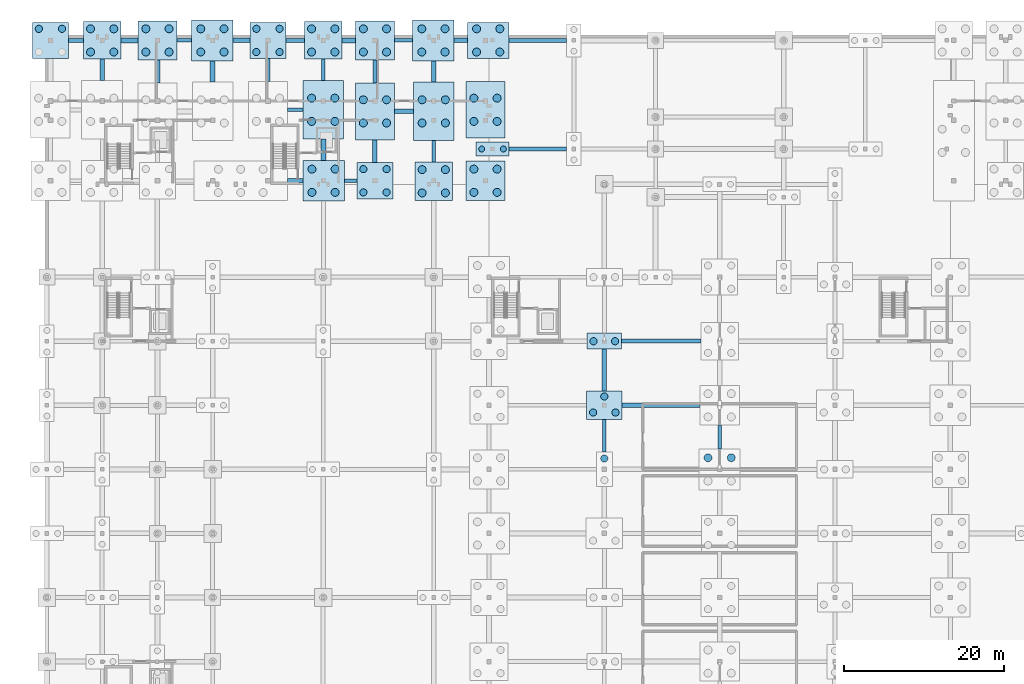
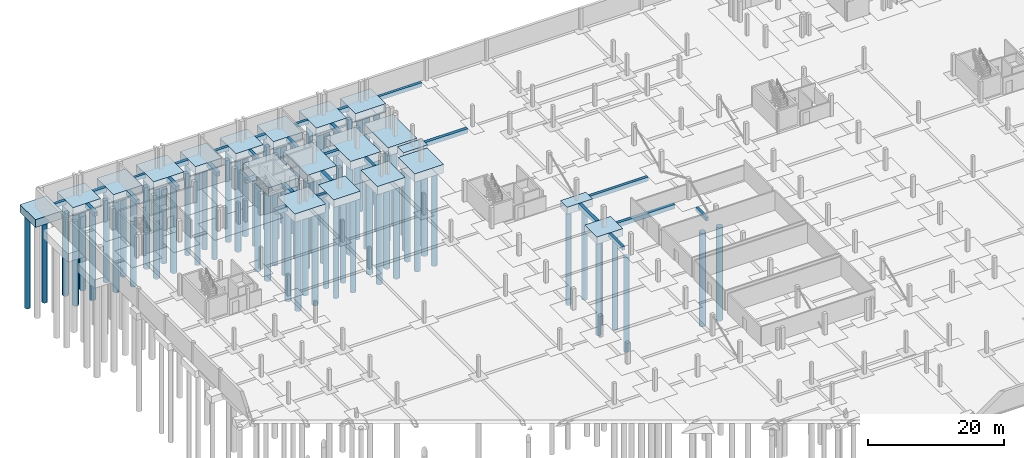
# One storey, part 6 of 38: 76 piles, 49 footings.
"""IFC4 building model written with IfcOpenShell, lengths in metres."""

from ifc_helpers import new_model, si_unit, direction, frame, origin, origin_2d, place, context, subcontext, project, spatial, rectangle, circle, extrude, material, material_profile, profile_set, type_object, element, save


model = new_model("IFC4")

# Units and contexts
model_context = context("Model", 3, precision=1e-05, world=origin(), true_north=direction((0.0, 1.0)))
body_context = subcontext(model_context, "Body", "Model", "MODEL_VIEW")
ifc_project = project(units=[si_unit("LENGTHUNIT", "METRE"), si_unit("AREAUNIT", "SQUARE_METRE"), si_unit("VOLUMEUNIT", "CUBIC_METRE"), si_unit("PLANEANGLEUNIT", "RADIAN"), si_unit("MASSUNIT", "GRAM", prefix="KILO")], contexts=[model_context])

# Site, building, storey
site_placement = place(None, origin())
site = spatial("IfcSite", under=ifc_project, at=site_placement, CompositionType="ELEMENT")
building_placement = place(site_placement, origin())
building = spatial("IfcBuilding", under=site, at=building_placement, Name="Zavelmont Quarter", CompositionType="ELEMENT")
storey_placement = place(building_placement, frame((0.0, 0.0, -3.800048828125)))
storey = spatial("IfcBuildingStorey", under=building, at=storey_placement, Name="B01", CompositionType="ELEMENT", Elevation=-3.800048828125)

# Footings
ifc_material = material(Name="Concrete C35/45", Category="concrete")
footing_type_1 = type_object("IfcFootingType", Name="GB01", PredefinedType="FOOTING_BEAM", material=ifc_material)
footing_1_placement = place(storey_placement, frame((76.699951171875, 78.0, -0.69970703125), z_axis=(0.0, 0.0, 1.0), x_axis=(1.0, 0.0, 0.0)))
element("IfcFooting", 1, at=footing_1_placement, inside=storey, type_object=footing_type_1, Name="B01 ground beam GB01 at 12/M", PredefinedType="FOOTING_BEAM", context=body_context, shape_type="SweptSolid", body=[
    extrude(rectangle(XDim=9.89990234375, YDim=0.5, at=origin_2d()), origin(), (0.0, 0.0, 1.0), 0.699951171875),
])
footing_2_placement = place(storey_placement, frame((3.6201171875, 115.56005859375, -0.69970703125), z_axis=(0.0, 0.0, 1.0), x_axis=(1.0, 0.0, 0.0)))
element("IfcFooting", 2, at=footing_2_placement, inside=storey, type_object=footing_type_1, Name="B01 ground beam GB01 at 2/S", PredefinedType="FOOTING_BEAM", context=body_context, shape_type="SweptSolid", body=[
    extrude(rectangle(XDim=1.860107421875, YDim=0.5, at=origin_2d()), origin(), (0.0, 0.0, 1.0), 0.699951171875),
])
footing_3_placement = place(storey_placement, frame((31.0, 115.56005859375, -0.69970703125), z_axis=(0.0, 0.0, 1.0), x_axis=(1.0, 0.0, 0.0)))
element("IfcFooting", 3, at=footing_3_placement, inside=storey, type_object=footing_type_1, Name="B01 ground beam GB01 at 5/S", PredefinedType="FOOTING_BEAM", context=body_context, shape_type="SweptSolid", body=[
    extrude(rectangle(XDim=2.300048828125, YDim=0.5, at=origin_2d()), origin(), (0.0, 0.0, 1.0), 0.699951171875),
])
footing_4_placement = place(storey_placement, frame((61.294921875, 115.56005859375, -0.69970703125), z_axis=(0.0, 0.0, 1.0), x_axis=(1.0, 0.0, 0.0)))
element("IfcFooting", 4, at=footing_4_placement, inside=storey, type_object=footing_type_1, Name="B01 ground beam GB01 at 10/S", PredefinedType="FOOTING_BEAM", context=body_context, shape_type="SweptSolid", body=[
    extrude(rectangle(XDim=7.2099609375, YDim=0.5, at=origin_2d()), origin(), (0.0, 0.0, 1.0), 0.699951171875),
])
footing_5_placement = place(storey_placement, frame((40.9599609375, 111.679931640625, -0.69970703125), z_axis=(0.0, 0.0, 1.0), x_axis=(0.0, 1.0, 0.0)))
element("IfcFooting", 5, at=footing_5_placement, inside=storey, type_object=footing_type_1, Name="B01 ground beam GB01 at 7/R", PredefinedType="FOOTING_BEAM", context=body_context, shape_type="SweptSolid", body=[
    extrude(rectangle(XDim=2.860107421875, YDim=0.5, at=origin_2d()), origin(), (0.0, 0.0, 1.0), 0.699951171875),
])
footing_type_2 = type_object("IfcFootingType", Name="GB02", PredefinedType="FOOTING_BEAM", material=ifc_material)
footing_6_placement = place(storey_placement, frame((31.0, 98.030029296875, -0.7998046875), z_axis=(0.0, 0.0, 1.0), x_axis=(1.0, 0.0, 0.0)))
element("IfcFooting", 6, at=footing_6_placement, inside=storey, type_object=footing_type_2, Name="B01 ground beam GB02 at 5/P", PredefinedType="FOOTING_BEAM", context=body_context, shape_type="SweptSolid", body=[
    extrude(rectangle(XDim=1.89990234375, YDim=0.60009765625, at=origin_2d()), origin(), (0.0, 0.0, 1.0), 0.800048828125),
])
footing_7_placement = place(storey_placement, frame((10.300048828125, 115.56005859375, -0.7998046875), z_axis=(0.0, 0.0, 1.0), x_axis=(1.0, 0.0, 0.0)))
element("IfcFooting", 7, at=footing_7_placement, inside=storey, type_object=footing_type_2, Name="B01 ground beam GB02 at 2/S", PredefinedType="FOOTING_BEAM", context=body_context, shape_type="SweptSolid", body=[
    extrude(rectangle(XDim=2.10009765625, YDim=0.60009765625, at=origin_2d()), origin(), (0.0, 0.0, 1.0), 0.800048828125),
])
footing_8_placement = place(storey_placement, frame((37.679931640625, 115.56005859375, -0.7998046875), z_axis=(0.0, 0.0, 1.0), x_axis=(1.0, 0.0, 0.0)))
element("IfcFooting", 8, at=footing_8_placement, inside=storey, type_object=footing_type_2, Name="B01 ground beam GB02 at 6/S", PredefinedType="FOOTING_BEAM", context=body_context, shape_type="SweptSolid", body=[
    extrude(rectangle(XDim=1.659912109375, YDim=0.60009765625, at=origin_2d()), origin(), (0.0, 0.0, 1.0), 0.800048828125),
])
footing_9_placement = place(storey_placement, frame((13.800048828125, 111.679931640625, -0.7998046875), z_axis=(0.0, 0.0, 1.0), x_axis=(0.0, 1.0, 0.0)))
element("IfcFooting", 9, at=footing_9_placement, inside=storey, type_object=footing_type_2, Name="B01 ground beam GB02 at 3/R", PredefinedType="FOOTING_BEAM", context=body_context, shape_type="SweptSolid", body=[
    extrude(rectangle(XDim=2.860107421875, YDim=0.60009765625, at=origin_2d()), origin(), (0.0, 0.0, 1.0), 0.800048828125),
])
for number, where, z_axis, x_axis, name in (
    (10, (20.679931640625, 111.679931640625, -0.7998046875), (0.0, 0.0, 1.0), (0.0, 1.0, 0.0), "B01 ground beam GB02 at 4/R"),
    (11, (34.52001953125, 101.919921875, -0.7998046875), (0.0, 0.0, 1.0), (0.0, 1.0, 0.0), "B01 ground beam GB02 at 6/Q"),
):
    element("IfcFooting", number, at=place(storey_placement, frame(where, z_axis=z_axis, x_axis=x_axis)), inside=storey, type_object=footing_type_2, Name=name, PredefinedType="FOOTING_BEAM", context=body_context, shape_type="SweptSolid", body=[
        extrude(rectangle(XDim=2.659912109375, YDim=0.60009765625, at=origin_2d()), origin(), (0.0, 0.0, 1.0), 0.800048828125),
    ])
footing_type_3 = type_object("IfcFootingType", Name="GB03", PredefinedType="FOOTING_BEAM", material=ifc_material)
footing_10_placement = place(storey_placement, frame((37.919921875, 98.0400390625, -0.64990234375), z_axis=(0.0, 0.0, 1.0), x_axis=(1.0, 0.0, 0.0)))
element("IfcFooting", 12, at=footing_10_placement, inside=storey, type_object=footing_type_3, Name="B01 ground beam GB03 at 6/P", PredefinedType="FOOTING_BEAM", context=body_context, shape_type="SweptSolid", body=[
    extrude(rectangle(XDim=1.580078125, YDim=0.449951171875, at=origin_2d()), origin(), (0.0, 0.0, 1.0), 0.64990234375),
])
footing_11_placement = place(storey_placement, frame((31.0, 106.89990234375, -0.64990234375), z_axis=(0.0, 0.0, 1.0), x_axis=(1.0, 0.0, 0.0)))
element("IfcFooting", 13, at=footing_11_placement, inside=storey, type_object=footing_type_3, Name="B01 ground beam GB03 at 5/R", PredefinedType="FOOTING_BEAM", context=body_context, shape_type="SweptSolid", body=[
    extrude(rectangle(XDim=1.89990234375, YDim=0.449951171875, at=origin_2d()), origin(), (0.0, 0.0, 1.0), 0.64990234375),
])
footing_12_placement = place(storey_placement, frame((17.159912109375, 115.56005859375, -0.64990234375), z_axis=(0.0, 0.0, 1.0), x_axis=(1.0, 0.0, 0.0)))
element("IfcFooting", 14, at=footing_12_placement, inside=storey, type_object=footing_type_3, Name="B01 ground beam GB03 at 3/S", PredefinedType="FOOTING_BEAM", context=body_context, shape_type="SweptSolid", body=[
    extrude(rectangle(XDim=1.820068359375, YDim=0.449951171875, at=origin_2d()), origin(), (0.0, 0.0, 1.0), 0.64990234375),
])
footing_13_placement = place(storey_placement, frame((44.5400390625, 115.56005859375, -0.64990234375), z_axis=(0.0, 0.0, 1.0), x_axis=(1.0, 0.0, 0.0)))
element("IfcFooting", 15, at=footing_13_placement, inside=storey, type_object=footing_type_3, Name="B01 ground beam GB03 at 7/S", PredefinedType="FOOTING_BEAM", context=body_context, shape_type="SweptSolid", body=[
    extrude(rectangle(XDim=2.260009765625, YDim=0.449951171875, at=origin_2d()), origin(), (0.0, 0.0, 1.0), 0.64990234375),
])
for number, where, z_axis, x_axis, name in (
    (16, (34.5, 111.8798828125, -0.64990234375), (0.0, 0.0, 1.0), (0.0, 1.0, 0.0), "B01 ground beam GB03 at 6/R"),
    (17, (48.300048828125, 101.719970703125, -0.64990234375), (0.0, 0.0, 1.0), (0.0, 1.0, 0.0), "B01 ground beam GB03 at 8/Q"),
):
    element("IfcFooting", number, at=place(storey_placement, frame(where, z_axis=z_axis, x_axis=x_axis)), inside=storey, type_object=footing_type_3, Name=name, PredefinedType="FOOTING_BEAM", context=body_context, shape_type="SweptSolid", body=[
        extrude(rectangle(XDim=2.659912109375, YDim=0.449951171875, at=origin_2d()), origin(), (0.0, 0.0, 1.0), 0.64990234375),
    ])
footing_14_placement = place(storey_placement, frame((69.60009765625, 66.175048828125, -0.64990234375), z_axis=(0.0, 0.0, 1.0), x_axis=(0.0, 1.0, 0.0)))
element("IfcFooting", 18, at=footing_14_placement, inside=storey, type_object=footing_type_3, Name="B01 ground beam GB03 at 11/L", PredefinedType="FOOTING_BEAM", context=body_context, shape_type="SweptSolid", body=[
    extrude(rectangle(XDim=4.050048828125, YDim=0.449951171875, at=origin_2d()), origin(), (0.0, 0.0, 1.0), 0.64990234375),
])
footing_15_placement = place(storey_placement, frame((84.0, 66.050048828125, -0.64990234375), z_axis=(0.0, 0.0, 1.0), x_axis=(0.0, 1.0, 0.0)))
element("IfcFooting", 19, at=footing_15_placement, inside=storey, type_object=footing_type_3, Name="B01 ground beam GB03 at 13/L", PredefinedType="FOOTING_BEAM", context=body_context, shape_type="SweptSolid", body=[
    extrude(rectangle(XDim=3.0, YDim=0.449951171875, at=origin_2d()), origin(), (0.0, 0.0, 1.0), 0.64990234375),
])
footing_type_4 = type_object("IfcFootingType", Name="GB04", PredefinedType="FOOTING_BEAM", material=ifc_material)
footing_16_placement = place(storey_placement, frame((76.675048828125, 70.0, -0.75), z_axis=(0.0, 0.0, 1.0), x_axis=(1.0, 0.0, 0.0)))
element("IfcFooting", 20, at=footing_16_placement, inside=storey, type_object=footing_type_4, Name="B01 ground beam GB04 at 12/L", PredefinedType="FOOTING_BEAM", context=body_context, shape_type="SweptSolid", body=[
    extrude(rectangle(XDim=9.75, YDim=0.550048828125, at=origin_2d()), origin(), (0.0, 0.0, 1.0), 0.75),
])
footing_17_placement = place(storey_placement, frame((61.294921875, 102.0, -0.75), z_axis=(0.0, 0.0, 1.0), x_axis=(1.0, 0.0, 0.0)))
element("IfcFooting", 21, at=footing_17_placement, inside=storey, type_object=footing_type_4, Name="B01 ground beam GB04 at 10/Q", PredefinedType="FOOTING_BEAM", context=body_context, shape_type="SweptSolid", body=[
    extrude(rectangle(XDim=7.2099609375, YDim=0.550048828125, at=origin_2d()), origin(), (0.0, 0.0, 1.0), 0.75),
])
footing_18_placement = place(storey_placement, frame((44.580078125, 106.699951171875, -0.75), z_axis=(0.0, 0.0, 1.0), x_axis=(1.0, 0.0, 0.0)))
element("IfcFooting", 22, at=footing_18_placement, inside=storey, type_object=footing_type_4, Name="B01 ground beam GB04 at 7/Q", PredefinedType="FOOTING_BEAM", context=body_context, shape_type="SweptSolid", body=[
    extrude(rectangle(XDim=2.340087890625, YDim=0.550048828125, at=origin_2d()), origin(), (0.0, 0.0, 1.0), 0.75),
])
footing_19_placement = place(storey_placement, frame((24.300048828125, 115.56005859375, -0.75), z_axis=(0.0, 0.0, 1.0), x_axis=(1.0, 0.0, 0.0)))
element("IfcFooting", 23, at=footing_19_placement, inside=storey, type_object=footing_type_4, Name="B01 ground beam GB04 at 5/S", PredefinedType="FOOTING_BEAM", context=body_context, shape_type="SweptSolid", body=[
    extrude(rectangle(XDim=2.10009765625, YDim=0.550048828125, at=origin_2d()), origin(), (0.0, 0.0, 1.0), 0.75),
])
footing_20_placement = place(storey_placement, frame((51.679931640625, 115.56005859375, -0.75), z_axis=(0.0, 0.0, 1.0), x_axis=(1.0, 0.0, 0.0)))
element("IfcFooting", 24, at=footing_20_placement, inside=storey, type_object=footing_type_4, Name="B01 ground beam GB04 at 8/S", PredefinedType="FOOTING_BEAM", context=body_context, shape_type="SweptSolid", body=[
    extrude(rectangle(XDim=1.659912109375, YDim=0.550048828125, at=origin_2d()), origin(), (0.0, 0.0, 1.0), 0.75),
])
footing_21_placement = place(storey_placement, frame((6.89990234375, 111.8798828125, -0.75), z_axis=(0.0, 0.0, 1.0), x_axis=(0.0, 1.0, 0.0)))
element("IfcFooting", 25, at=footing_21_placement, inside=storey, type_object=footing_type_4, Name="B01 ground beam GB04 at 2/R", PredefinedType="FOOTING_BEAM", context=body_context, shape_type="SweptSolid", body=[
    extrude(rectangle(XDim=2.659912109375, YDim=0.550048828125, at=origin_2d()), origin(), (0.0, 0.0, 1.0), 0.75),
])
for number, where, z_axis, x_axis, name in (
    (26, (27.60009765625, 111.8798828125, -0.75), (0.0, 0.0, 1.0), (0.0, 1.0, 0.0), "B01 ground beam GB04 at 5/R"),
    (27, (40.9599609375, 101.719970703125, -0.75), (0.0, 0.0, 1.0), (0.0, 1.0, 0.0), "B01 ground beam GB04 at 7/Q"),
):
    element("IfcFooting", number, at=place(storey_placement, frame(where, z_axis=z_axis, x_axis=x_axis)), inside=storey, type_object=footing_type_4, Name=name, PredefinedType="FOOTING_BEAM", context=body_context, shape_type="SweptSolid", body=[
        extrude(rectangle(XDim=2.860107421875, YDim=0.550048828125, at=origin_2d()), origin(), (0.0, 0.0, 1.0), 0.75),
    ])
footing_22_placement = place(storey_placement, frame((48.280029296875, 111.679931640625, -0.75), z_axis=(0.0, 0.0, 1.0), x_axis=(0.0, 1.0, 0.0)))
element("IfcFooting", 28, at=footing_22_placement, inside=storey, type_object=footing_type_4, Name="B01 ground beam GB04 at 8/R", PredefinedType="FOOTING_BEAM", context=body_context, shape_type="SweptSolid", body=[
    extrude(rectangle(XDim=2.659912109375, YDim=0.550048828125, at=origin_2d()), origin(), (0.0, 0.0, 1.0), 0.75),
])
footing_23_placement = place(storey_placement, frame((69.60009765625, 74.39990234375, -0.75), z_axis=(0.0, 0.0, 1.0), x_axis=(0.0, 1.0, 0.0)))
element("IfcFooting", 29, at=footing_23_placement, inside=storey, type_object=footing_type_4, Name="B01 ground beam GB04 at 11/M", PredefinedType="FOOTING_BEAM", context=body_context, shape_type="SweptSolid", body=[
    extrude(rectangle(XDim=5.199951171875, YDim=0.550048828125, at=origin_2d()), origin(), (0.0, 0.0, 1.0), 0.75),
])

# Piles
ifc_material_profile_1 = material_profile(ifc_material, circle(Radius=0.5, at=origin_2d()), Name="BP1000")
ifc_profile_set_1 = profile_set([ifc_material_profile_1], Name="Concrete C35/45")
pile_type_1 = type_object("IfcPileType", Name="P01", PredefinedType="BORED", material=ifc_profile_set_1)
for number, where, z_axis, x_axis, name in (
    (30, (85.449951171875, 63.449951171875, -1.39990234375), (0.0, 0.0, -1.0), (1.0, 0.0, 0.0), "B01 bored pile P01 under CAP-114.3"),
    (31, (82.550048828125, 63.449951171875, -1.39990234375), (0.0, 0.0, -1.0), (1.0, 0.0, 0.0), "B01 bored pile P01 under CAP-114.4"),
    (32, (46.85009765625, 96.52001953125, -1.39990234375), (0.0, 0.0, -1.0), (1.0, 0.0, 0.0), "B01 bored pile P01 under CAP-166.1"),
    (33, (49.75, 96.52001953125, -1.39990234375), (0.0, 0.0, -1.0), (1.0, 0.0, 0.0), "B01 bored pile P01 under CAP-166.2"),
    (34, (49.75, 99.419921875, -1.39990234375), (0.0, 0.0, -1.0), (1.0, 0.0, 0.0), "B01 bored pile P01 under CAP-166.3"),
    (35, (46.85009765625, 99.419921875, -1.39990234375), (0.0, 0.0, -1.0), (1.0, 0.0, 0.0), "B01 bored pile P01 under CAP-166.4"),
    (36, (33.090087890625, 96.590087890625, -1.39990234375), (0.0, 0.0, -1.0), (1.0, 0.0, 0.0), "B01 bored pile P01 under CAP-172.1"),
    (37, (35.989990234375, 96.590087890625, -1.39990234375), (0.0, 0.0, -1.0), (1.0, 0.0, 0.0), "B01 bored pile P01 under CAP-172.2"),
    (38, (35.989990234375, 99.489990234375, -1.39990234375), (0.0, 0.0, -1.0), (1.0, 0.0, 0.0), "B01 bored pile P01 under CAP-172.3"),
    (39, (33.090087890625, 99.489990234375, -1.39990234375), (0.0, 0.0, -1.0), (1.0, 0.0, 0.0), "B01 bored pile P01 under CAP-172.4"),
    (40, (53.31005859375, 96.590087890625, -1.39990234375), (0.0, 0.0, -1.0), (1.0, 0.0, 0.0), "B01 bored pile P01 under CAP-174.1"),
    (41, (56.2099609375, 96.590087890625, -1.39990234375), (0.0, 0.0, -1.0), (1.0, 0.0, 0.0), "B01 bored pile P01 under CAP-174.2"),
    (42, (56.2099609375, 99.489990234375, -1.39990234375), (0.0, 0.0, -1.0), (1.0, 0.0, 0.0), "B01 bored pile P01 under CAP-174.3"),
    (43, (53.31005859375, 99.489990234375, -1.39990234375), (0.0, 0.0, -1.0), (1.0, 0.0, 0.0), "B01 bored pile P01 under CAP-174.4"),
    (44, (39.510009765625, 105.25, -1.39990234375), (0.0, 0.0, -1.0), (1.0, 0.0, 0.0), "B01 bored pile P01 under CAP-191.1"),
    (45, (42.409912109375, 105.25, -1.39990234375), (0.0, 0.0, -1.0), (1.0, 0.0, 0.0), "B01 bored pile P01 under CAP-191.2"),
    (46, (42.409912109375, 108.14990234375, -1.39990234375), (0.0, 0.0, -1.0), (1.0, 0.0, 0.0), "B01 bored pile P01 under CAP-191.3"),
    (47, (39.510009765625, 108.14990234375, -1.39990234375), (0.0, 0.0, -1.0), (1.0, 0.0, 0.0), "B01 bored pile P01 under CAP-191.4"),
    (48, (46.85009765625, 105.25, -1.39990234375), (0.0, 0.0, -1.0), (1.0, 0.0, 0.0), "B01 bored pile P01 under CAP-192.1"),
    (49, (49.75, 105.25, -1.39990234375), (0.0, 0.0, -1.0), (1.0, 0.0, 0.0), "B01 bored pile P01 under CAP-192.2"),
    (50, (49.75, 108.14990234375, -1.39990234375), (0.0, 0.0, -1.0), (1.0, 0.0, 0.0), "B01 bored pile P01 under CAP-192.3"),
    (51, (46.85009765625, 108.14990234375, -1.39990234375), (0.0, 0.0, -1.0), (1.0, 0.0, 0.0), "B01 bored pile P01 under CAP-192.4"),
    (52, (33.050048828125, 105.449951171875, -1.39990234375), (0.0, 0.0, -1.0), (1.0, 0.0, 0.0), "B01 bored pile P01 under CAP-200.1"),
    (53, (35.949951171875, 105.449951171875, -1.39990234375), (0.0, 0.0, -1.0), (1.0, 0.0, 0.0), "B01 bored pile P01 under CAP-200.2"),
    (54, (35.949951171875, 108.35009765625, -1.39990234375), (0.0, 0.0, -1.0), (1.0, 0.0, 0.0), "B01 bored pile P01 under CAP-200.3"),
    (55, (33.050048828125, 108.35009765625, -1.39990234375), (0.0, 0.0, -1.0), (1.0, 0.0, 0.0), "B01 bored pile P01 under CAP-200.4"),
    (56, (53.31005859375, 105.449951171875, -1.39990234375), (0.0, 0.0, -1.0), (1.0, 0.0, 0.0), "B01 bored pile P01 under CAP-201.1"),
    (57, (56.2099609375, 105.449951171875, -1.39990234375), (0.0, 0.0, -1.0), (1.0, 0.0, 0.0), "B01 bored pile P01 under CAP-201.2"),
    (58, (56.2099609375, 108.35009765625, -1.39990234375), (0.0, 0.0, -1.0), (1.0, 0.0, 0.0), "B01 bored pile P01 under CAP-201.3"),
    (59, (53.31005859375, 108.35009765625, -1.39990234375), (0.0, 0.0, -1.0), (1.0, 0.0, 0.0), "B01 bored pile P01 under CAP-201.4"),
    (60, (5.449951171875, 114.110107421875, -1.39990234375), (0.0, 0.0, -1.0), (1.0, 0.0, 0.0), "B01 bored pile P01 under CAP-207.1"),
    (61, (8.35009765625, 114.110107421875, -1.39990234375), (0.0, 0.0, -1.0), (1.0, 0.0, 0.0), "B01 bored pile P01 under CAP-207.2"),
    (62, (8.35009765625, 117.010009765625, -1.39990234375), (0.0, 0.0, -1.0), (1.0, 0.0, 0.0), "B01 bored pile P01 under CAP-207.3"),
    (63, (5.449951171875, 117.010009765625, -1.39990234375), (0.0, 0.0, -1.0), (1.0, 0.0, 0.0), "B01 bored pile P01 under CAP-207.4"),
    (64, (12.35009765625, 114.110107421875, -1.39990234375), (0.0, 0.0, -1.0), (1.0, 0.0, 0.0), "B01 bored pile P01 under CAP-208.1"),
    (65, (15.25, 114.110107421875, -1.39990234375), (0.0, 0.0, -1.0), (1.0, 0.0, 0.0), "B01 bored pile P01 under CAP-208.2"),
    (66, (15.25, 117.010009765625, -1.39990234375), (0.0, 0.0, -1.0), (1.0, 0.0, 0.0), "B01 bored pile P01 under CAP-208.3"),
    (67, (12.35009765625, 117.010009765625, -1.39990234375), (0.0, 0.0, -1.0), (1.0, 0.0, 0.0), "B01 bored pile P01 under CAP-208.4"),
    (68, (19.2099609375, 114.110107421875, -1.39990234375), (0.0, 0.0, -1.0), (1.0, 0.0, 0.0), "B01 bored pile P01 under CAP-209.1"),
    (69, (22.110107421875, 114.110107421875, -1.39990234375), (0.0, 0.0, -1.0), (1.0, 0.0, 0.0), "B01 bored pile P01 under CAP-209.2"),
    (70, (22.110107421875, 117.010009765625, -1.39990234375), (0.0, 0.0, -1.0), (1.0, 0.0, 0.0), "B01 bored pile P01 under CAP-209.3"),
    (71, (19.2099609375, 117.010009765625, -1.39990234375), (0.0, 0.0, -1.0), (1.0, 0.0, 0.0), "B01 bored pile P01 under CAP-209.4"),
    (72, (33.050048828125, 114.110107421875, -1.39990234375), (0.0, 0.0, -1.0), (1.0, 0.0, 0.0), "B01 bored pile P01 under CAP-211.1"),
    (73, (35.949951171875, 114.110107421875, -1.39990234375), (0.0, 0.0, -1.0), (1.0, 0.0, 0.0), "B01 bored pile P01 under CAP-211.2"),
    (74, (35.949951171875, 117.010009765625, -1.39990234375), (0.0, 0.0, -1.0), (1.0, 0.0, 0.0), "B01 bored pile P01 under CAP-211.3"),
    (75, (33.050048828125, 117.010009765625, -1.39990234375), (0.0, 0.0, -1.0), (1.0, 0.0, 0.0), "B01 bored pile P01 under CAP-211.4"),
    (76, (39.510009765625, 114.110107421875, -1.39990234375), (0.0, 0.0, -1.0), (1.0, 0.0, 0.0), "B01 bored pile P01 under CAP-212.1"),
    (77, (42.409912109375, 114.110107421875, -1.39990234375), (0.0, 0.0, -1.0), (1.0, 0.0, 0.0), "B01 bored pile P01 under CAP-212.2"),
    (78, (42.409912109375, 117.010009765625, -1.39990234375), (0.0, 0.0, -1.0), (1.0, 0.0, 0.0), "B01 bored pile P01 under CAP-212.3"),
    (79, (39.510009765625, 117.010009765625, -1.39990234375), (0.0, 0.0, -1.0), (1.0, 0.0, 0.0), "B01 bored pile P01 under CAP-212.4"),
    (80, (46.81005859375, 114.110107421875, -1.39990234375), (0.0, 0.0, -1.0), (1.0, 0.0, 0.0), "B01 bored pile P01 under CAP-213.1"),
    (81, (49.7099609375, 114.110107421875, -1.39990234375), (0.0, 0.0, -1.0), (1.0, 0.0, 0.0), "B01 bored pile P01 under CAP-213.2"),
    (82, (49.7099609375, 117.010009765625, -1.39990234375), (0.0, 0.0, -1.0), (1.0, 0.0, 0.0), "B01 bored pile P01 under CAP-213.3"),
    (83, (46.81005859375, 117.010009765625, -1.39990234375), (0.0, 0.0, -1.0), (1.0, 0.0, 0.0), "B01 bored pile P01 under CAP-213.4"),
    (84, (53.64990234375, 114.110107421875, -1.39990234375), (0.0, 0.0, -1.0), (1.0, 0.0, 0.0), "B01 bored pile P01 under CAP-214.1"),
    (85, (56.550048828125, 114.110107421875, -1.39990234375), (0.0, 0.0, -1.0), (1.0, 0.0, 0.0), "B01 bored pile P01 under CAP-214.2"),
    (86, (56.550048828125, 117.010009765625, -1.39990234375), (0.0, 0.0, -1.0), (1.0, 0.0, 0.0), "B01 bored pile P01 under CAP-214.3"),
    (87, (53.64990234375, 117.010009765625, -1.39990234375), (0.0, 0.0, -1.0), (1.0, 0.0, 0.0), "B01 bored pile P01 under CAP-214.4"),
):
    element("IfcPile", number, at=place(storey_placement, frame(where, z_axis=z_axis, x_axis=x_axis)), inside=storey, type_object=pile_type_1, Name=name, PredefinedType="BORED", context=body_context, shape_type="SweptSolid", body=[
        extrude(circle(Radius=0.5, at=origin_2d()), origin(), (0.0, 0.0, 1.0), 16.800048828125),
    ])
ifc_material_profile_2 = material_profile(ifc_material, circle(Radius=0.449951171875, at=origin_2d()), Name="BP900")
ifc_profile_set_2 = profile_set([ifc_material_profile_2], Name="Concrete C35/45")
pile_type_2 = type_object("IfcPileType", Name="P02", PredefinedType="BORED", material=ifc_profile_set_2)
for number, where, z_axis, x_axis, name in (
    (88, (39.510009765625, 96.590087890625, -1.300048828125), (0.0, 0.0, -1.0), (1.0, 0.0, 0.0), "B01 bored pile P02 under CAP-173.1"),
    (89, (42.409912109375, 96.590087890625, -1.300048828125), (0.0, 0.0, -1.0), (1.0, 0.0, 0.0), "B01 bored pile P02 under CAP-173.2"),
    (90, (42.409912109375, 99.489990234375, -1.300048828125), (0.0, 0.0, -1.0), (1.0, 0.0, 0.0), "B01 bored pile P02 under CAP-173.3"),
    (91, (39.510009765625, 99.489990234375, -1.300048828125), (0.0, 0.0, -1.0), (1.0, 0.0, 0.0), "B01 bored pile P02 under CAP-173.4"),
    (92, (1.889892578125, 117.010009765625, -1.300048828125), (0.0, 0.0, -1.0), (1.0, 0.0, 0.0), "B01 bored pile P02 under CAP-206.3"),
    (93, (-1.010009765625, 117.010009765625, -1.300048828125), (0.0, 0.0, -1.0), (1.0, 0.0, 0.0), "B01 bored pile P02 under CAP-206.4"),
    (94, (26.14990234375, 114.110107421875, -1.300048828125), (0.0, 0.0, -1.0), (1.0, 0.0, 0.0), "B01 bored pile P02 under CAP-210.1"),
    (95, (29.050048828125, 114.110107421875, -1.300048828125), (0.0, 0.0, -1.0), (1.0, 0.0, 0.0), "B01 bored pile P02 under CAP-210.2"),
    (96, (29.050048828125, 117.010009765625, -1.300048828125), (0.0, 0.0, -1.0), (1.0, 0.0, 0.0), "B01 bored pile P02 under CAP-210.3"),
    (97, (26.14990234375, 117.010009765625, -1.300048828125), (0.0, 0.0, -1.0), (1.0, 0.0, 0.0), "B01 bored pile P02 under CAP-210.4"),
):
    element("IfcPile", number, at=place(storey_placement, frame(where, z_axis=z_axis, x_axis=x_axis)), inside=storey, type_object=pile_type_2, Name=name, PredefinedType="BORED", context=body_context, shape_type="SweptSolid", body=[
        extrude(circle(Radius=0.449951171875, at=origin_2d()), origin(), (0.0, 0.0, 1.0), 16.89990234375),
    ])
ifc_material_profile_3 = material_profile(ifc_material, circle(Radius=0.449951171875, at=origin_2d()), Name="BP900")
ifc_profile_set_3 = profile_set([ifc_material_profile_3], Name="Concrete C35/45")
pile_type_3 = type_object("IfcPileType", Name="P03", PredefinedType="BORED", material=ifc_profile_set_3)
for number, where, z_axis, x_axis, name in (
    (98, (69.60009765625, 63.35009765625, -1.199951171875), (0.0, 0.0, -1.0), (1.0, 0.0, 0.0), "B01 bored pile P03 under CAP-113.2"),
    (99, (68.199951171875, 69.10009765625, -1.199951171875), (0.0, 0.0, -1.0), (1.0, 0.0, 0.0), "B01 bored pile P03 under CAP-125.1"),
    (100, (71.0, 69.10009765625, -1.199951171875), (0.0, 0.0, -1.0), (1.0, 0.0, 0.0), "B01 bored pile P03 under CAP-125.2"),
    (101, (69.60009765625, 71.10009765625, -1.199951171875), (0.0, 0.0, -1.0), (1.0, 0.0, 0.0), "B01 bored pile P03 under CAP-125.3"),
    (102, (68.25, 78.0, -1.199951171875), (0.0, 0.0, -1.0), (1.0, 0.0, 0.0), "B01 bored pile P03 under CAP-140.1"),
    (103, (70.949951171875, 78.0, -1.199951171875), (0.0, 0.0, -1.0), (1.0, 0.0, 0.0), "B01 bored pile P03 under CAP-140.2"),
):
    element("IfcPile", number, at=place(storey_placement, frame(where, z_axis=z_axis, x_axis=x_axis)), inside=storey, type_object=pile_type_3, Name=name, PredefinedType="BORED", context=body_context, shape_type="SweptSolid", body=[
        extrude(circle(Radius=0.449951171875, at=origin_2d()), origin(), (0.0, 0.0, 1.0), 17.0),
    ])
ifc_material_profile_4 = material_profile(ifc_material, circle(Radius=0.375, at=origin_2d()), Name="BP750")
ifc_profile_set_4 = profile_set([ifc_material_profile_4], Name="Concrete C35/45")
pile_type_4 = type_object("IfcPileType", Name="P05", PredefinedType="BORED", material=ifc_profile_set_4)
for number, where, z_axis, x_axis, name in (
    (104, (54.2900390625, 102.0, -1.099853515625), (0.0, 0.0, -1.0), (1.0, 0.0, 0.0), "B01 bored pile P05 under CAP-181.1"),
    (105, (56.989990234375, 102.0, -1.099853515625), (0.0, 0.0, -1.0), (1.0, 0.0, 0.0), "B01 bored pile P05 under CAP-181.2"),
):
    element("IfcPile", number, at=place(storey_placement, frame(where, z_axis=z_axis, x_axis=x_axis)), inside=storey, type_object=pile_type_4, Name=name, PredefinedType="BORED", context=body_context, shape_type="SweptSolid", body=[
        extrude(circle(Radius=0.375, at=origin_2d()), origin(), (0.0, 0.0, 1.0), 17.10009765625),
    ])

# Footings
footing_type_5 = type_object("IfcFootingType", Name="PC05", PredefinedType="PILE_CAP", material=ifc_material)
footing_24_placement = place(storey_placement, frame((55.639892578125, 102.0, -1.19970703125), z_axis=(0.0, 0.0, 1.0), x_axis=(1.0, 0.0, 0.0)))
element("IfcFooting", 106, at=footing_24_placement, inside=storey, type_object=footing_type_5, Name="B01 pile cap PC05 at 9/Q", PredefinedType="PILE_CAP", context=body_context, shape_type="SweptSolid", body=[
    extrude(rectangle(XDim=4.10009765625, YDim=1.800048828125, at=origin_2d()), origin(), (0.0, 0.0, 1.0), 1.199951171875),
])
footing_type_6 = type_object("IfcFootingType", Name="PC07", PredefinedType="PILE_CAP", material=ifc_material)
footing_25_placement = place(storey_placement, frame((69.60009765625, 78.0, -1.2998046875), z_axis=(0.0, 0.0, 1.0), x_axis=(1.0, 0.0, 0.0)))
element("IfcFooting", 107, at=footing_25_placement, inside=storey, type_object=footing_type_6, Name="B01 pile cap PC07 at 11/M", PredefinedType="PILE_CAP", context=body_context, shape_type="SweptSolid", body=[
    extrude(rectangle(XDim=4.300048828125, YDim=2.0, at=origin_2d()), origin(), (0.0, 0.0, 1.0), 1.300048828125),
])
footing_type_7 = type_object("IfcFootingType", Name="PC10", PredefinedType="PILE_CAP", material=ifc_material)
footing_26_placement = place(storey_placement, frame((69.60009765625, 70.0, -1.2998046875), z_axis=(0.0, 0.0, 1.0), x_axis=(1.0, 0.0, 0.0)))
element("IfcFooting", 108, at=footing_26_placement, inside=storey, type_object=footing_type_7, Name="B01 pile cap PC10 at 11/L", PredefinedType="PILE_CAP", context=body_context, shape_type="SweptSolid", body=[
    extrude(rectangle(XDim=4.39990234375, YDim=3.60009765625, at=origin_2d()), origin(), (0.0, 0.0, 1.0), 1.300048828125),
])
footing_type_8 = type_object("IfcFootingType", Name="PC12", PredefinedType="PILE_CAP", material=ifc_material)
for number, where, z_axis, x_axis, name in (
    (109, (40.9599609375, 98.0400390625, -1.39990234375), (0.0, 0.0, 1.0), (1.0, 0.0, 0.0), "B01 pile cap PC12 at 7/P"),
    (110, (0.43994140625, 115.56005859375, -1.39990234375), (0.0, 0.0, 1.0), (1.0, 0.0, 0.0), "B01 pile cap PC12 at 1/S"),
    (111, (27.60009765625, 115.56005859375, -1.39990234375), (0.0, 0.0, 1.0), (1.0, 0.0, 0.0), "B01 pile cap PC12 at 5/S"),
):
    element("IfcFooting", number, at=place(storey_placement, frame(where, z_axis=z_axis, x_axis=x_axis)), inside=storey, type_object=footing_type_8, Name=name, PredefinedType="PILE_CAP", context=body_context, shape_type="SweptSolid", body=[
        extrude(rectangle(XDim=4.5, YDim=4.5, at=origin_2d()), origin(), (0.0, 0.0, 1.0), 1.39990234375),
    ])
footing_type_9 = type_object("IfcFootingType", Name="PC14", PredefinedType="PILE_CAP", material=ifc_material)
for number, where, z_axis, x_axis, name in (
    (112, (54.760009765625, 98.0400390625, -1.5), (0.0, 0.0, 1.0), (1.0, 0.0, 0.0), "B01 pile cap PC14 at 9/P"),
    (113, (13.800048828125, 115.56005859375, -1.5), (0.0, 0.0, 1.0), (1.0, 0.0, 0.0), "B01 pile cap PC14 at 3/S"),
    (114, (40.9599609375, 115.56005859375, -1.5), (0.0, 0.0, 1.0), (1.0, 0.0, 0.0), "B01 pile cap PC14 at 7/S"),
):
    element("IfcFooting", number, at=place(storey_placement, frame(where, z_axis=z_axis, x_axis=x_axis)), inside=storey, type_object=footing_type_9, Name=name, PredefinedType="PILE_CAP", context=body_context, shape_type="SweptSolid", body=[
        extrude(rectangle(XDim=4.89990234375, YDim=4.89990234375, at=origin_2d()), origin(), (0.0, 0.0, 1.0), 1.5),
    ])
footing_type_10 = type_object("IfcFootingType", Name="PCC470X470", PredefinedType="PILE_CAP", material=ifc_material)
for number, where, z_axis, x_axis, name in (
    (115, (6.89990234375, 115.56005859375, -1.5), (0.0, 0.0, 1.0), (1.0, 0.0, 0.0), "B01 pile cap PCC470X470 at 2/S"),
    (116, (34.5, 115.56005859375, -1.5), (0.0, 0.0, 1.0), (1.0, 0.0, 0.0), "B01 pile cap PCC470X470 at 6/S"),
):
    element("IfcFooting", number, at=place(storey_placement, frame(where, z_axis=z_axis, x_axis=x_axis)), inside=storey, type_object=footing_type_10, Name=name, PredefinedType="PILE_CAP", context=body_context, shape_type="SweptSolid", body=[
        extrude(rectangle(XDim=4.699951171875, YDim=4.699951171875, at=origin_2d()), origin(), (0.0, 0.0, 1.0), 1.5),
    ])
footing_type_11 = type_object("IfcFootingType", Name="PCC470X484", PredefinedType="PILE_CAP", material=ifc_material)
footing_27_placement = place(storey_placement, frame((48.300048828125, 97.969970703125, -1.5), z_axis=(0.0, 0.0, 1.0), x_axis=(1.0, 0.0, 0.0)))
element("IfcFooting", 117, at=footing_27_placement, inside=storey, type_object=footing_type_11, Name="B01 pile cap PCC470X484 at 8/P", PredefinedType="PILE_CAP", context=body_context, shape_type="SweptSolid", body=[
    extrude(rectangle(XDim=4.699951171875, YDim=4.840087890625, at=origin_2d()), origin(), (0.0, 0.0, 1.0), 1.5),
])
footing_type_12 = type_object("IfcFootingType", Name="PCC490X710", PredefinedType="PILE_CAP", material=ifc_material)
for number, where, z_axis, x_axis, name in (
    (118, (40.9599609375, 106.699951171875, -1.5), (0.0, 0.0, 1.0), (1.0, 0.0, 0.0), "B01 pile cap PCC490X710 at 7/Q"),
    (119, (54.760009765625, 106.89990234375, -1.5), (0.0, 0.0, 1.0), (1.0, 0.0, 0.0), "B01 pile cap PCC490X710 at 9/R"),
):
    element("IfcFooting", number, at=place(storey_placement, frame(where, z_axis=z_axis, x_axis=x_axis)), inside=storey, type_object=footing_type_12, Name=name, PredefinedType="PILE_CAP", context=body_context, shape_type="SweptSolid", body=[
        extrude(rectangle(XDim=4.89990234375, YDim=7.10009765625, at=origin_2d()), origin(), (0.0, 0.0, 1.0), 1.5),
    ])
footing_type_13 = type_object("IfcFootingType", Name="PCC510X730", PredefinedType="PILE_CAP", material=ifc_material)
for number, where, z_axis, x_axis, name in (
    (120, (48.300048828125, 106.699951171875, -1.5), (0.0, 0.0, 1.0), (1.0, 0.0, 0.0), "B01 pile cap PCC510X730 at 8/Q"),
    (121, (34.5, 106.89990234375, -1.5), (0.0, 0.0, 1.0), (1.0, 0.0, 0.0), "B01 pile cap PCC510X730 at 6/R"),
):
    element("IfcFooting", number, at=place(storey_placement, frame(where, z_axis=z_axis, x_axis=x_axis)), inside=storey, type_object=footing_type_13, Name=name, PredefinedType="PILE_CAP", context=body_context, shape_type="SweptSolid", body=[
        extrude(rectangle(XDim=5.10009765625, YDim=7.300048828125, at=origin_2d()), origin(), (0.0, 0.0, 1.0), 1.5),
    ])
footing_type_14 = type_object("IfcFootingType", Name="PCC518X450", PredefinedType="PILE_CAP", material=ifc_material)
footing_28_placement = place(storey_placement, frame((55.10009765625, 115.56005859375, -1.5), z_axis=(0.0, 0.0, 1.0), x_axis=(1.0, 0.0, 0.0)))
element("IfcFooting", 122, at=footing_28_placement, inside=storey, type_object=footing_type_14, Name="B01 pile cap PCC518X450 at 9/S", PredefinedType="PILE_CAP", context=body_context, shape_type="SweptSolid", body=[
    extrude(rectangle(XDim=5.179931640625, YDim=4.5, at=origin_2d()), origin(), (0.0, 0.0, 1.0), 1.5),
])
footing_type_15 = type_object("IfcFootingType", Name="PCC518X510", PredefinedType="PILE_CAP", material=ifc_material)
for number, where, z_axis, x_axis, name in (
    (123, (34.5400390625, 98.0400390625, -1.5), (0.0, 0.0, 1.0), (1.0, 0.0, 0.0), "B01 pile cap PCC518X510 at 6/P"),
    (124, (20.659912109375, 115.56005859375, -1.5), (0.0, 0.0, 1.0), (1.0, 0.0, 0.0), "B01 pile cap PCC518X510 at 4/S"),
    (125, (48.260009765625, 115.56005859375, -1.5), (0.0, 0.0, 1.0), (1.0, 0.0, 0.0), "B01 pile cap PCC518X510 at 8/S"),
):
    element("IfcFooting", number, at=place(storey_placement, frame(where, z_axis=z_axis, x_axis=x_axis)), inside=storey, type_object=footing_type_15, Name=name, PredefinedType="PILE_CAP", context=body_context, shape_type="SweptSolid", body=[
        extrude(rectangle(XDim=5.179931640625, YDim=5.10009765625, at=origin_2d()), origin(), (0.0, 0.0, 1.0), 1.5),
    ])

save(model, "model.ifc")
